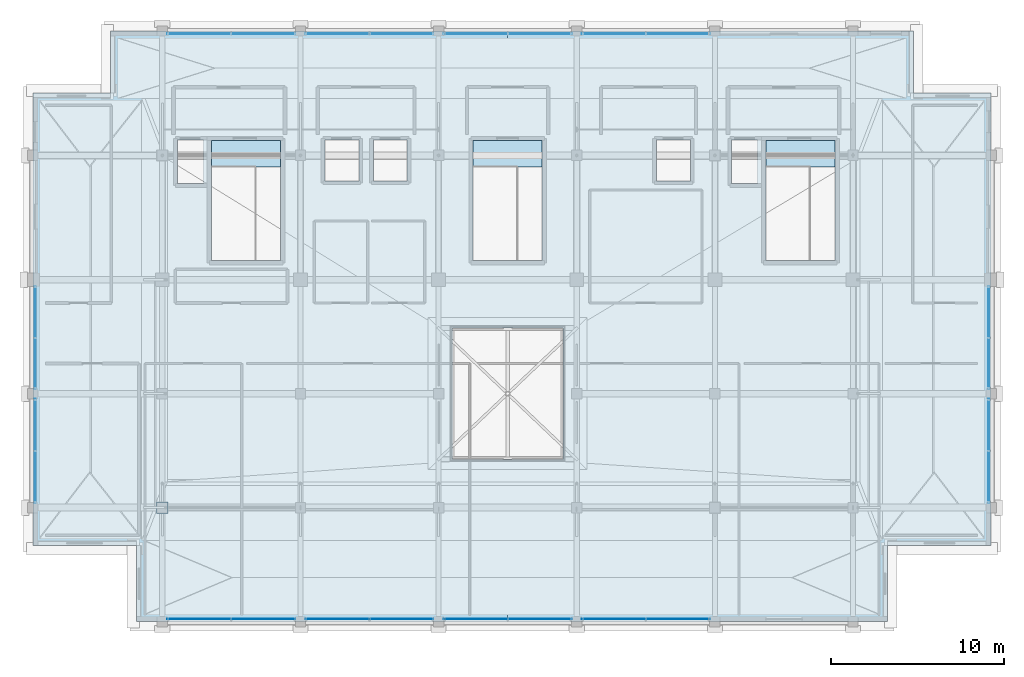
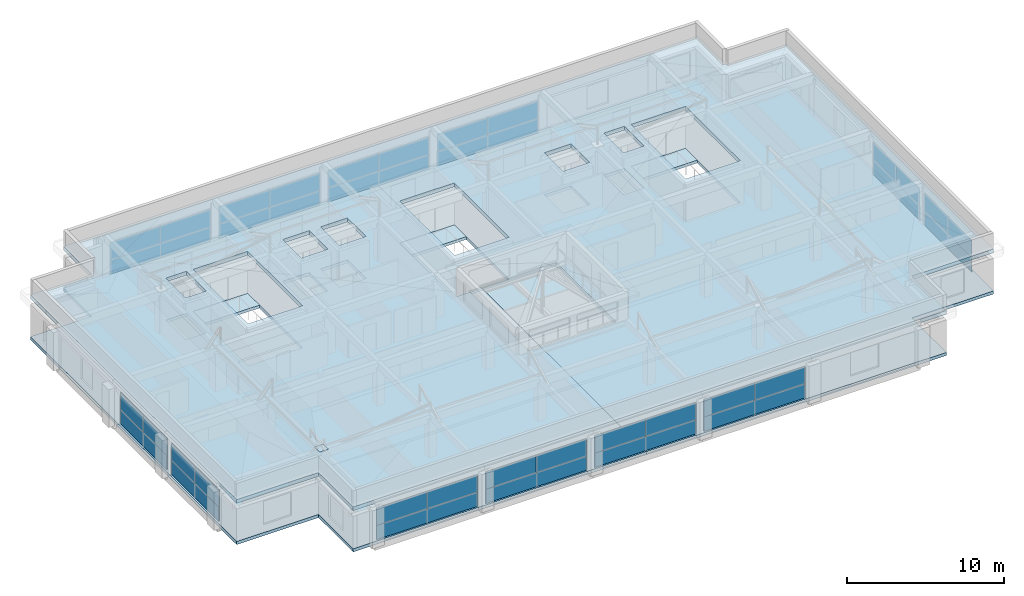
# One storey, part 29 of 39: 37 plates, 6 slabs, 12 elements without a shape of their own.
"""IFC4 building model written with IfcOpenShell, lengths in metres."""

from ifc_helpers import new_model, si_unit, direction, frame, origin, origin_2d, place, context, subcontext, project, spatial, polyline, rectangle, outline, extrude, material, layer, layer_set, type_object, element, aggregate, save


model = new_model("IFC4")

# Units and contexts
model_context = context("Model", 3, precision=1e-05, world=origin(), true_north=direction((0.0, 1.0)))
body_context = subcontext(model_context, "Body", "Model", "MODEL_VIEW")
ifc_project = project(units=[si_unit("LENGTHUNIT", "METRE"), si_unit("AREAUNIT", "SQUARE_METRE"), si_unit("VOLUMEUNIT", "CUBIC_METRE"), si_unit("PLANEANGLEUNIT", "RADIAN"), si_unit("MASSUNIT", "GRAM", prefix="KILO")], contexts=[model_context])

# Site, building, storey
site_placement = place(None, origin())
site = spatial("IfcSite", under=ifc_project, at=site_placement, CompositionType="ELEMENT")
building_placement = place(site_placement, origin())
building = spatial("IfcBuilding", under=site, at=building_placement, Name="Akrevak Sports Hall", CompositionType="ELEMENT")
storey_placement = place(building_placement, frame((0.0, 0.0, 66.550048828125)))
storey = spatial("IfcBuildingStorey", under=building, at=storey_placement, Name="L17", CompositionType="ELEMENT", Elevation=66.550048828125)

# Curtain wall, plates
ifc_material_1 = material(Name="Anodized Bronze Aluminium & Low-E Glass", Category="aluminium")
curtain_wall_type = type_object("IfcCurtainWallType", Name="ARC-CW-TWR-68x30", PredefinedType="NOTDEFINED", material=ifc_material_1)
curtain_wall_1_placement = place(storey_placement, origin())
curtain_wall_1 = element("IfcCurtainWall", 1, at=curtain_wall_1_placement, inside=storey, type_object=curtain_wall_type, Name="Curtain Wall CW-L17-S02", PredefinedType="NOTDEFINED")
ifc_material_2 = material(Name="Double Low-E Tempered Glass", Category="glass")
ifc_layer_1 = layer(ifc_material_2, 0.031982421875, Name="Double Low-E Tempered Glass")
ifc_layer_set_1 = layer_set([ifc_layer_1], Name="Double Low-E Tempered Glass")
plate_type_1 = type_object("IfcPlateType", Name="ARC-CWP-GLZ-32", PredefinedType="CURTAIN_PANEL", material=ifc_layer_set_1)
plate_1_placement = place(storey_placement, frame((62.14990234375, 35.550048828125, 1.099853515625), z_axis=(0.0, 0.0, 1.0), x_axis=(1.0, 0.0, 0.0)))
plate_1 = element("IfcPlate", 2, at=plate_1_placement, type_object=plate_type_1, Name="Vision Glass Panel CW-L17-S02-G1", PredefinedType="CURTAIN_PANEL", context=body_context, shape_type="SweptSolid", body=[
    extrude(rectangle(XDim=3.699951171875, YDim=0.035888671875, at=origin_2d()), origin(), (0.0, 0.0, 1.0), 1.35009765625),
])
plate_2_placement = place(storey_placement, frame((65.85009765625, 35.550048828125, 1.099853515625), z_axis=(0.0, 0.0, 1.0), x_axis=(1.0, 0.0, 0.0)))
plate_2 = element("IfcPlate", 3, at=plate_2_placement, type_object=plate_type_1, Name="Vision Glass Panel CW-L17-S02-G2", PredefinedType="CURTAIN_PANEL", context=body_context, shape_type="SweptSolid", body=[
    extrude(rectangle(XDim=3.699951171875, YDim=0.035888671875, at=origin_2d()), origin(), (0.0, 0.0, 1.0), 1.35009765625),
])

curtain_wall_2_placement = place(storey_placement, origin())
curtain_wall_2 = element("IfcCurtainWall", 4, at=curtain_wall_2_placement, inside=storey, type_object=curtain_wall_type, Name="Curtain Wall CW-L17-S03", PredefinedType="NOTDEFINED")
plate_3_placement = place(storey_placement, frame((70.14990234375, 35.550048828125, 1.099853515625), z_axis=(0.0, 0.0, 1.0), x_axis=(1.0, 0.0, 0.0)))
plate_3 = element("IfcPlate", 5, at=plate_3_placement, type_object=plate_type_1, Name="Vision Glass Panel CW-L17-S03-G1", PredefinedType="CURTAIN_PANEL", context=body_context, shape_type="SweptSolid", body=[
    extrude(rectangle(XDim=3.699951171875, YDim=0.035888671875, at=origin_2d()), origin(), (0.0, 0.0, 1.0), 1.35009765625),
])
plate_4_placement = place(storey_placement, frame((73.85009765625, 35.550048828125, 1.099853515625), z_axis=(0.0, 0.0, 1.0), x_axis=(1.0, 0.0, 0.0)))
plate_4 = element("IfcPlate", 6, at=plate_4_placement, type_object=plate_type_1, Name="Vision Glass Panel CW-L17-S03-G2", PredefinedType="CURTAIN_PANEL", context=body_context, shape_type="SweptSolid", body=[
    extrude(rectangle(XDim=3.699951171875, YDim=0.035888671875, at=origin_2d()), origin(), (0.0, 0.0, 1.0), 1.35009765625),
])

curtain_wall_3_placement = place(storey_placement, origin())
curtain_wall_3 = element("IfcCurtainWall", 7, at=curtain_wall_3_placement, inside=storey, type_object=curtain_wall_type, Name="Curtain Wall CW-L17-S04", PredefinedType="NOTDEFINED")
plate_5_placement = place(storey_placement, frame((78.14990234375, 35.550048828125, 1.099853515625), z_axis=(0.0, 0.0, 1.0), x_axis=(1.0, 0.0, 0.0)))
plate_5 = element("IfcPlate", 8, at=plate_5_placement, type_object=plate_type_1, Name="Vision Glass Panel CW-L17-S04-G1", PredefinedType="CURTAIN_PANEL", context=body_context, shape_type="SweptSolid", body=[
    extrude(rectangle(XDim=3.699951171875, YDim=0.035888671875, at=origin_2d()), origin(), (0.0, 0.0, 1.0), 1.35009765625),
])
plate_6_placement = place(storey_placement, frame((81.85009765625, 35.550048828125, 1.099853515625), z_axis=(0.0, 0.0, 1.0), x_axis=(1.0, 0.0, 0.0)))
plate_6 = element("IfcPlate", 9, at=plate_6_placement, type_object=plate_type_1, Name="Vision Glass Panel CW-L17-S04-G2", PredefinedType="CURTAIN_PANEL", context=body_context, shape_type="SweptSolid", body=[
    extrude(rectangle(XDim=3.699951171875, YDim=0.035888671875, at=origin_2d()), origin(), (0.0, 0.0, 1.0), 1.35009765625),
])

curtain_wall_4_placement = place(storey_placement, origin())
curtain_wall_4 = element("IfcCurtainWall", 10, at=curtain_wall_4_placement, inside=storey, type_object=curtain_wall_type, Name="Curtain Wall CW-L17-S05", PredefinedType="NOTDEFINED")
plate_7_placement = place(storey_placement, frame((86.14990234375, 35.550048828125, 1.099853515625), z_axis=(0.0, 0.0, 1.0), x_axis=(1.0, 0.0, 0.0)))
plate_7 = element("IfcPlate", 11, at=plate_7_placement, type_object=plate_type_1, Name="Vision Glass Panel CW-L17-S05-G1", PredefinedType="CURTAIN_PANEL", context=body_context, shape_type="SweptSolid", body=[
    extrude(rectangle(XDim=3.699951171875, YDim=0.035888671875, at=origin_2d()), origin(), (0.0, 0.0, 1.0), 1.35009765625),
])
plate_8_placement = place(storey_placement, frame((89.85009765625, 35.550048828125, 1.099853515625), z_axis=(0.0, 0.0, 1.0), x_axis=(1.0, 0.0, 0.0)))
plate_8 = element("IfcPlate", 12, at=plate_8_placement, type_object=plate_type_1, Name="Vision Glass Panel CW-L17-S05-G2", PredefinedType="CURTAIN_PANEL", context=body_context, shape_type="SweptSolid", body=[
    extrude(rectangle(XDim=3.699951171875, YDim=0.035888671875, at=origin_2d()), origin(), (0.0, 0.0, 1.0), 1.35009765625),
])

curtain_wall_5_placement = place(storey_placement, origin())
curtain_wall_5 = element("IfcCurtainWall", 13, at=curtain_wall_5_placement, inside=storey, type_object=curtain_wall_type, Name="Curtain Wall CW-L17-E11", PredefinedType="NOTDEFINED")
plate_9_placement = place(storey_placement, frame((107.85009765625, 43.800048828125, 1.099853515625), z_axis=(0.0, 0.0, 1.0), x_axis=(0.0, 1.0, 0.0)))
plate_9 = element("IfcPlate", 14, at=plate_9_placement, type_object=plate_type_1, Name="Vision Glass Panel CW-L17-E11-G1", PredefinedType="CURTAIN_PANEL", context=body_context, shape_type="SweptSolid", body=[
    extrude(rectangle(XDim=3.0, YDim=0.035888671875, at=origin_2d()), origin(), (0.0, 0.0, 1.0), 1.35009765625),
])
plate_10_placement = place(storey_placement, frame((107.85009765625, 46.800048828125, 1.099853515625), z_axis=(0.0, 0.0, 1.0), x_axis=(0.0, 1.0, 0.0)))
plate_10 = element("IfcPlate", 15, at=plate_10_placement, type_object=plate_type_1, Name="Vision Glass Panel CW-L17-E11-G2", PredefinedType="CURTAIN_PANEL", context=body_context, shape_type="SweptSolid", body=[
    extrude(rectangle(XDim=3.0, YDim=0.035888671875, at=origin_2d()), origin(), (0.0, 0.0, 1.0), 1.35009765625),
])

curtain_wall_6_placement = place(storey_placement, origin())
curtain_wall_6 = element("IfcCurtainWall", 16, at=curtain_wall_6_placement, inside=storey, type_object=curtain_wall_type, Name="Curtain Wall CW-L17-E12", PredefinedType="NOTDEFINED")
plate_11_placement = place(storey_placement, frame((107.85009765625, 50.375, 1.099853515625), z_axis=(0.0, 0.0, 1.0), x_axis=(0.0, 1.0, 0.0)))
plate_11 = element("IfcPlate", 17, at=plate_11_placement, type_object=plate_type_1, Name="Vision Glass Panel CW-L17-E12-G1", PredefinedType="CURTAIN_PANEL", context=body_context, shape_type="SweptSolid", body=[
    extrude(rectangle(XDim=2.949951171875, YDim=0.035888671875, at=origin_2d()), origin(), (0.0, 0.0, 1.0), 1.35009765625),
])
plate_12_placement = place(storey_placement, frame((107.85009765625, 53.324951171875, 1.099853515625), z_axis=(0.0, 0.0, 1.0), x_axis=(0.0, 1.0, 0.0)))
plate_12 = element("IfcPlate", 18, at=plate_12_placement, type_object=plate_type_1, Name="Vision Glass Panel CW-L17-E12-G2", PredefinedType="CURTAIN_PANEL", context=body_context, shape_type="SweptSolid", body=[
    extrude(rectangle(XDim=2.949951171875, YDim=0.035888671875, at=origin_2d()), origin(), (0.0, 0.0, 1.0), 1.35009765625),
])

curtain_wall_7_placement = place(storey_placement, origin())
curtain_wall_7 = element("IfcCurtainWall", 19, at=curtain_wall_7_placement, inside=storey, type_object=curtain_wall_type, Name="Curtain Wall CW-L17-N19", PredefinedType="NOTDEFINED")
plate_13_placement = place(storey_placement, frame((89.85009765625, 69.449951171875, 1.099853515625), z_axis=(0.0, 0.0, 1.0), x_axis=(-1.0, 0.0, 0.0)))
plate_13 = element("IfcPlate", 20, at=plate_13_placement, type_object=plate_type_1, Name="Vision Glass Panel CW-L17-N19-G1", PredefinedType="CURTAIN_PANEL", context=body_context, shape_type="SweptSolid", body=[
    extrude(rectangle(XDim=3.699951171875, YDim=0.035888671875, at=origin_2d()), origin(), (0.0, 0.0, 1.0), 1.35009765625),
])
plate_14_placement = place(storey_placement, frame((86.14990234375, 69.449951171875, 1.099853515625), z_axis=(0.0, 0.0, 1.0), x_axis=(-1.0, 0.0, 0.0)))
plate_14 = element("IfcPlate", 21, at=plate_14_placement, type_object=plate_type_1, Name="Vision Glass Panel CW-L17-N19-G2", PredefinedType="CURTAIN_PANEL", context=body_context, shape_type="SweptSolid", body=[
    extrude(rectangle(XDim=3.699951171875, YDim=0.035888671875, at=origin_2d()), origin(), (0.0, 0.0, 1.0), 1.35009765625),
])

curtain_wall_8_placement = place(storey_placement, origin())
curtain_wall_8 = element("IfcCurtainWall", 22, at=curtain_wall_8_placement, inside=storey, type_object=curtain_wall_type, Name="Curtain Wall CW-L17-N20", PredefinedType="NOTDEFINED")
plate_15_placement = place(storey_placement, frame((81.85009765625, 69.449951171875, 1.099853515625), z_axis=(0.0, 0.0, 1.0), x_axis=(-1.0, 0.0, 0.0)))
plate_15 = element("IfcPlate", 23, at=plate_15_placement, type_object=plate_type_1, Name="Vision Glass Panel CW-L17-N20-G1", PredefinedType="CURTAIN_PANEL", context=body_context, shape_type="SweptSolid", body=[
    extrude(rectangle(XDim=3.699951171875, YDim=0.035888671875, at=origin_2d()), origin(), (0.0, 0.0, 1.0), 1.35009765625),
])
plate_16_placement = place(storey_placement, frame((78.14990234375, 69.449951171875, 1.099853515625), z_axis=(0.0, 0.0, 1.0), x_axis=(-1.0, 0.0, 0.0)))
plate_16 = element("IfcPlate", 24, at=plate_16_placement, type_object=plate_type_1, Name="Vision Glass Panel CW-L17-N20-G2", PredefinedType="CURTAIN_PANEL", context=body_context, shape_type="SweptSolid", body=[
    extrude(rectangle(XDim=3.699951171875, YDim=0.035888671875, at=origin_2d()), origin(), (0.0, 0.0, 1.0), 1.35009765625),
])

curtain_wall_9_placement = place(storey_placement, origin())
curtain_wall_9 = element("IfcCurtainWall", 25, at=curtain_wall_9_placement, inside=storey, type_object=curtain_wall_type, Name="Curtain Wall CW-L17-N21", PredefinedType="NOTDEFINED")
plate_17_placement = place(storey_placement, frame((73.85009765625, 69.449951171875, 1.099853515625), z_axis=(0.0, 0.0, 1.0), x_axis=(-1.0, 0.0, 0.0)))
plate_17 = element("IfcPlate", 26, at=plate_17_placement, type_object=plate_type_1, Name="Vision Glass Panel CW-L17-N21-G1", PredefinedType="CURTAIN_PANEL", context=body_context, shape_type="SweptSolid", body=[
    extrude(rectangle(XDim=3.699951171875, YDim=0.035888671875, at=origin_2d()), origin(), (0.0, 0.0, 1.0), 1.35009765625),
])
plate_18_placement = place(storey_placement, frame((70.14990234375, 69.449951171875, 1.099853515625), z_axis=(0.0, 0.0, 1.0), x_axis=(-1.0, 0.0, 0.0)))
plate_18 = element("IfcPlate", 27, at=plate_18_placement, type_object=plate_type_1, Name="Vision Glass Panel CW-L17-N21-G2", PredefinedType="CURTAIN_PANEL", context=body_context, shape_type="SweptSolid", body=[
    extrude(rectangle(XDim=3.699951171875, YDim=0.035888671875, at=origin_2d()), origin(), (0.0, 0.0, 1.0), 1.35009765625),
])

curtain_wall_10_placement = place(storey_placement, origin())
curtain_wall_10 = element("IfcCurtainWall", 28, at=curtain_wall_10_placement, inside=storey, type_object=curtain_wall_type, Name="Curtain Wall CW-L17-N22", PredefinedType="NOTDEFINED")
plate_19_placement = place(storey_placement, frame((65.85009765625, 69.449951171875, 1.099853515625), z_axis=(0.0, 0.0, 1.0), x_axis=(-1.0, 0.0, 0.0)))
plate_19 = element("IfcPlate", 29, at=plate_19_placement, type_object=plate_type_1, Name="Vision Glass Panel CW-L17-N22-G1", PredefinedType="CURTAIN_PANEL", context=body_context, shape_type="SweptSolid", body=[
    extrude(rectangle(XDim=3.699951171875, YDim=0.035888671875, at=origin_2d()), origin(), (0.0, 0.0, 1.0), 1.35009765625),
])
plate_20_placement = place(storey_placement, frame((62.14990234375, 69.449951171875, 1.099853515625), z_axis=(0.0, 0.0, 1.0), x_axis=(-1.0, 0.0, 0.0)))
plate_20 = element("IfcPlate", 30, at=plate_20_placement, type_object=plate_type_1, Name="Vision Glass Panel CW-L17-N22-G2", PredefinedType="CURTAIN_PANEL", context=body_context, shape_type="SweptSolid", body=[
    extrude(rectangle(XDim=3.699951171875, YDim=0.035888671875, at=origin_2d()), origin(), (0.0, 0.0, 1.0), 1.35009765625),
])

curtain_wall_11_placement = place(storey_placement, origin())
curtain_wall_11 = element("IfcCurtainWall", 31, at=curtain_wall_11_placement, inside=storey, type_object=curtain_wall_type, Name="Curtain Wall CW-L17-W28", PredefinedType="NOTDEFINED")
plate_21_placement = place(storey_placement, frame((52.64990234375, 53.324951171875, 1.099853515625), z_axis=(0.0, 0.0, 1.0), x_axis=(0.0, -1.0, 0.0)))
plate_21 = element("IfcPlate", 32, at=plate_21_placement, type_object=plate_type_1, Name="Vision Glass Panel CW-L17-W28-G1", PredefinedType="CURTAIN_PANEL", context=body_context, shape_type="SweptSolid", body=[
    extrude(rectangle(XDim=2.949951171875, YDim=0.035888671875, at=origin_2d()), origin(), (0.0, 0.0, 1.0), 1.35009765625),
])
plate_22_placement = place(storey_placement, frame((52.64990234375, 50.375, 1.099853515625), z_axis=(0.0, 0.0, 1.0), x_axis=(0.0, -1.0, 0.0)))
plate_22 = element("IfcPlate", 33, at=plate_22_placement, type_object=plate_type_1, Name="Vision Glass Panel CW-L17-W28-G2", PredefinedType="CURTAIN_PANEL", context=body_context, shape_type="SweptSolid", body=[
    extrude(rectangle(XDim=2.949951171875, YDim=0.035888671875, at=origin_2d()), origin(), (0.0, 0.0, 1.0), 1.35009765625),
])

curtain_wall_12_placement = place(storey_placement, origin())
curtain_wall_12 = element("IfcCurtainWall", 34, at=curtain_wall_12_placement, inside=storey, type_object=curtain_wall_type, Name="Curtain Wall CW-L17-W29", PredefinedType="NOTDEFINED")
plate_23_placement = place(storey_placement, frame((52.64990234375, 46.800048828125, 1.099853515625), z_axis=(0.0, 0.0, 1.0), x_axis=(0.0, -1.0, 0.0)))
plate_23 = element("IfcPlate", 35, at=plate_23_placement, type_object=plate_type_1, Name="Vision Glass Panel CW-L17-W29-G1", PredefinedType="CURTAIN_PANEL", context=body_context, shape_type="SweptSolid", body=[
    extrude(rectangle(XDim=3.0, YDim=0.035888671875, at=origin_2d()), origin(), (0.0, 0.0, 1.0), 1.35009765625),
])
plate_24_placement = place(storey_placement, frame((52.64990234375, 43.800048828125, 1.099853515625), z_axis=(0.0, 0.0, 1.0), x_axis=(0.0, -1.0, 0.0)))
plate_24 = element("IfcPlate", 36, at=plate_24_placement, type_object=plate_type_1, Name="Vision Glass Panel CW-L17-W29-G2", PredefinedType="CURTAIN_PANEL", context=body_context, shape_type="SweptSolid", body=[
    extrude(rectangle(XDim=3.0, YDim=0.035888671875, at=origin_2d()), origin(), (0.0, 0.0, 1.0), 1.35009765625),
])

# Plate
ifc_material_3 = material(Name="Insulated Bronze Spandrel Panel", Category="aluminium")
ifc_layer_2 = layer(ifc_material_3, 0.0400390625, Name="Insulated Bronze Spandrel Panel")
ifc_layer_set_2 = layer_set([ifc_layer_2], Name="Insulated Bronze Spandrel Panel")
plate_type_2 = type_object("IfcPlateType", Name="ARC-CWP-SPD-40", PredefinedType="CURTAIN_PANEL", material=ifc_layer_set_2)
plate_25_placement = place(storey_placement, frame((64.0, 35.550048828125, 0.0), z_axis=(0.0, 0.0, 1.0), x_axis=(1.0, 0.0, 0.0)))
plate_25 = element("IfcPlate", 37, at=plate_25_placement, type_object=plate_type_2, Name="Insulated Spandrel Panel CW-L17-S02-S1", PredefinedType="CURTAIN_PANEL", context=body_context, shape_type="SweptSolid", body=[
    extrude(rectangle(XDim=7.39990234375, YDim=0.0439453125, at=origin_2d()), origin(), (0.0, 0.0, 1.0), 1.10009765625),
])

aggregate(curtain_wall_1, [plate_1, plate_2, plate_25])

plate_26_placement = place(storey_placement, frame((72.0, 35.550048828125, 0.0), z_axis=(0.0, 0.0, 1.0), x_axis=(1.0, 0.0, 0.0)))
plate_26 = element("IfcPlate", 38, at=plate_26_placement, type_object=plate_type_2, Name="Insulated Spandrel Panel CW-L17-S03-S1", PredefinedType="CURTAIN_PANEL", context=body_context, shape_type="SweptSolid", body=[
    extrude(rectangle(XDim=7.39990234375, YDim=0.0439453125, at=origin_2d()), origin(), (0.0, 0.0, 1.0), 1.10009765625),
])

aggregate(curtain_wall_2, [plate_3, plate_4, plate_26])

plate_27_placement = place(storey_placement, frame((80.0, 35.550048828125, 0.0), z_axis=(0.0, 0.0, 1.0), x_axis=(1.0, 0.0, 0.0)))
plate_27 = element("IfcPlate", 39, at=plate_27_placement, type_object=plate_type_2, Name="Insulated Spandrel Panel CW-L17-S04-S1", PredefinedType="CURTAIN_PANEL", context=body_context, shape_type="SweptSolid", body=[
    extrude(rectangle(XDim=7.39990234375, YDim=0.0439453125, at=origin_2d()), origin(), (0.0, 0.0, 1.0), 1.10009765625),
])

aggregate(curtain_wall_3, [plate_5, plate_6, plate_27])

plate_28_placement = place(storey_placement, frame((88.0, 35.550048828125, 0.0), z_axis=(0.0, 0.0, 1.0), x_axis=(1.0, 0.0, 0.0)))
plate_28 = element("IfcPlate", 40, at=plate_28_placement, type_object=plate_type_2, Name="Insulated Spandrel Panel CW-L17-S05-S1", PredefinedType="CURTAIN_PANEL", context=body_context, shape_type="SweptSolid", body=[
    extrude(rectangle(XDim=7.39990234375, YDim=0.0439453125, at=origin_2d()), origin(), (0.0, 0.0, 1.0), 1.10009765625),
])

aggregate(curtain_wall_4, [plate_7, plate_8, plate_28])

plate_29_placement = place(storey_placement, frame((107.85009765625, 45.300048828125, 0.0), z_axis=(0.0, 0.0, 1.0), x_axis=(0.0, 1.0, 0.0)))
plate_29 = element("IfcPlate", 41, at=plate_29_placement, type_object=plate_type_2, Name="Insulated Spandrel Panel CW-L17-E11-S1", PredefinedType="CURTAIN_PANEL", context=body_context, shape_type="SweptSolid", body=[
    extrude(rectangle(XDim=6.0, YDim=0.0439453125, at=origin_2d()), origin(), (0.0, 0.0, 1.0), 1.10009765625),
])

aggregate(curtain_wall_5, [plate_9, plate_10, plate_29])

plate_30_placement = place(storey_placement, frame((107.85009765625, 51.85009765625, 0.0), z_axis=(0.0, 0.0, 1.0), x_axis=(0.0, 1.0, 0.0)))
plate_30 = element("IfcPlate", 42, at=plate_30_placement, type_object=plate_type_2, Name="Insulated Spandrel Panel CW-L17-E12-S1", PredefinedType="CURTAIN_PANEL", context=body_context, shape_type="SweptSolid", body=[
    extrude(rectangle(XDim=5.89990234375, YDim=0.0439453125, at=origin_2d()), origin(), (0.0, 0.0, 1.0), 1.10009765625),
])

aggregate(curtain_wall_6, [plate_11, plate_12, plate_30])

plate_31_placement = place(storey_placement, frame((88.0, 69.449951171875, 0.0), z_axis=(0.0, 0.0, 1.0), x_axis=(-1.0, 0.0, 0.0)))
plate_31 = element("IfcPlate", 43, at=plate_31_placement, type_object=plate_type_2, Name="Insulated Spandrel Panel CW-L17-N19-S1", PredefinedType="CURTAIN_PANEL", context=body_context, shape_type="SweptSolid", body=[
    extrude(rectangle(XDim=7.39990234375, YDim=0.0439453125, at=origin_2d()), origin(), (0.0, 0.0, 1.0), 1.10009765625),
])

aggregate(curtain_wall_7, [plate_13, plate_14, plate_31])

plate_32_placement = place(storey_placement, frame((80.0, 69.449951171875, 0.0), z_axis=(0.0, 0.0, 1.0), x_axis=(-1.0, 0.0, 0.0)))
plate_32 = element("IfcPlate", 44, at=plate_32_placement, type_object=plate_type_2, Name="Insulated Spandrel Panel CW-L17-N20-S1", PredefinedType="CURTAIN_PANEL", context=body_context, shape_type="SweptSolid", body=[
    extrude(rectangle(XDim=7.39990234375, YDim=0.0439453125, at=origin_2d()), origin(), (0.0, 0.0, 1.0), 1.10009765625),
])

aggregate(curtain_wall_8, [plate_15, plate_16, plate_32])

plate_33_placement = place(storey_placement, frame((72.0, 69.449951171875, 0.0), z_axis=(0.0, 0.0, 1.0), x_axis=(-1.0, 0.0, 0.0)))
plate_33 = element("IfcPlate", 45, at=plate_33_placement, type_object=plate_type_2, Name="Insulated Spandrel Panel CW-L17-N21-S1", PredefinedType="CURTAIN_PANEL", context=body_context, shape_type="SweptSolid", body=[
    extrude(rectangle(XDim=7.39990234375, YDim=0.0439453125, at=origin_2d()), origin(), (0.0, 0.0, 1.0), 1.10009765625),
])

aggregate(curtain_wall_9, [plate_17, plate_18, plate_33])

plate_34_placement = place(storey_placement, frame((64.0, 69.449951171875, 0.0), z_axis=(0.0, 0.0, 1.0), x_axis=(-1.0, 0.0, 0.0)))
plate_34 = element("IfcPlate", 46, at=plate_34_placement, type_object=plate_type_2, Name="Insulated Spandrel Panel CW-L17-N22-S1", PredefinedType="CURTAIN_PANEL", context=body_context, shape_type="SweptSolid", body=[
    extrude(rectangle(XDim=7.39990234375, YDim=0.0439453125, at=origin_2d()), origin(), (0.0, 0.0, 1.0), 1.10009765625),
])

aggregate(curtain_wall_10, [plate_19, plate_20, plate_34])

plate_35_placement = place(storey_placement, frame((52.64990234375, 51.85009765625, 0.0), z_axis=(0.0, 0.0, 1.0), x_axis=(0.0, -1.0, 0.0)))
plate_35 = element("IfcPlate", 47, at=plate_35_placement, type_object=plate_type_2, Name="Insulated Spandrel Panel CW-L17-W28-S1", PredefinedType="CURTAIN_PANEL", context=body_context, shape_type="SweptSolid", body=[
    extrude(rectangle(XDim=5.89990234375, YDim=0.0439453125, at=origin_2d()), origin(), (0.0, 0.0, 1.0), 1.10009765625),
])

aggregate(curtain_wall_11, [plate_21, plate_22, plate_35])

plate_36_placement = place(storey_placement, frame((52.64990234375, 45.300048828125, 0.0), z_axis=(0.0, 0.0, 1.0), x_axis=(0.0, -1.0, 0.0)))
plate_36 = element("IfcPlate", 48, at=plate_36_placement, type_object=plate_type_2, Name="Insulated Spandrel Panel CW-L17-W29-S1", PredefinedType="CURTAIN_PANEL", context=body_context, shape_type="SweptSolid", body=[
    extrude(rectangle(XDim=6.0, YDim=0.0439453125, at=origin_2d()), origin(), (0.0, 0.0, 1.0), 1.10009765625),
])

aggregate(curtain_wall_12, [plate_23, plate_24, plate_36])

ifc_material_4 = material(Name="Steel S355", Category="steel")
ifc_layer_3 = layer(ifc_material_4, 0.035888671875, Name="Steel S355")
ifc_layer_set_3 = layer_set([ifc_layer_3], Name="Steel S355")
plate_type_3 = type_object("IfcPlateType", Name="STR-PLT-ANCHOR-36", PredefinedType="SHEET", material=ifc_layer_set_3)
plate_37_placement = place(storey_placement, frame((60.0, 42.0, 3.251953125), z_axis=(0.0, 0.0, 1.0), x_axis=(1.0, 0.0, 0.0)))
element("IfcPlate", 49, at=plate_37_placement, inside=storey, type_object=plate_type_3, Name="Mansard Rafter Bearing Shoe Plate MBRC-WS-1", PredefinedType="SHEET", context=body_context, shape_type="SweptSolid", body=[
    extrude(rectangle(XDim=0.64990234375, YDim=0.64990234375, at=origin_2d()), origin(), (0.0, 0.0, 1.0), 0.035888671875),
])

# Slabs
ifc_material_5 = material(Name="Concrete C40/50", Category="concrete")
ifc_layer_4 = layer(ifc_material_5, 0.239990234375, Name="Concrete C40/50")
ifc_layer_set_4 = layer_set([ifc_layer_4], Name="Concrete C40/50")
slab_type_1 = type_object("IfcSlabType", Name="STR-SLB-FLR-240", PredefinedType="FLOOR", material=ifc_layer_set_4)
slab_1_placement = place(storey_placement, frame((0.0, 0.0, -0.239990234375)))
element("IfcSlab", 50, at=slab_1_placement, inside=storey, type_object=slab_type_1, Name="Structural Floor Slab L17-1.1", PredefinedType="FLOOR", context=body_context, shape_type="SweptSolid", body=[
    extrude(outline(polyline([(58.5, 39.800048828125), (58.5, 35.39990234375), (80.0, 35.39990234375), (80.0, 56.300048828125), (78.0, 56.300048828125), (78.0, 63.25), (80.0, 63.25), (80.0, 69.60009765625), (57.0, 69.60009765625), (57.0, 66.0), (52.5, 66.0), (52.5, 39.800048828125), (58.5, 39.800048828125)]), holes=[polyline([(62.85009765625, 63.25), (66.85009765625, 63.25), (66.85009765625, 56.300048828125), (62.85009765625, 56.300048828125), (62.85009765625, 63.25)]), polyline([(60.8701171875, 63.280029296875), (62.3798828125, 63.280029296875), (62.3798828125, 60.77001953125), (60.8701171875, 60.77001953125), (60.8701171875, 63.280029296875)]), polyline([(69.419921875, 63.280029296875), (71.3798828125, 63.280029296875), (71.3798828125, 60.919921875), (69.419921875, 60.919921875), (69.419921875, 63.280029296875)]), polyline([(72.219970703125, 63.280029296875), (74.179931640625, 63.280029296875), (74.179931640625, 60.919921875), (72.219970703125, 60.919921875), (72.219970703125, 63.280029296875)])]), origin(), (0.0, 0.0, 1.0), 0.239990234375),
])
slab_2_placement = place(storey_placement, frame((0.0, 0.0, -0.239990234375)))
element("IfcSlab", 51, at=slab_2_placement, inside=storey, type_object=slab_type_1, Name="Structural Floor Slab L17-2.1", PredefinedType="FLOOR", context=body_context, shape_type="SweptSolid", body=[
    extrude(outline(polyline([(80.0, 69.60009765625), (80.0, 63.25), (82.0, 63.25), (82.0, 56.300048828125), (80.0, 56.300048828125), (80.0, 35.39990234375), (102.0, 35.39990234375), (102.0, 39.800048828125), (108.0, 39.800048828125), (108.0, 66.0), (103.5, 66.0), (103.5, 69.60009765625), (80.0, 69.60009765625)]), holes=[polyline([(94.949951171875, 63.25), (98.949951171875, 63.25), (98.949951171875, 56.300048828125), (94.949951171875, 56.300048828125), (94.949951171875, 63.25)]), polyline([(92.969970703125, 63.280029296875), (94.47998046875, 63.280029296875), (94.47998046875, 60.77001953125), (92.969970703125, 60.77001953125), (92.969970703125, 63.280029296875)]), polyline([(88.6201171875, 63.280029296875), (90.580078125, 63.280029296875), (90.580078125, 60.919921875), (88.6201171875, 60.919921875), (88.6201171875, 63.280029296875)])]), origin(), (0.0, 0.0, 1.0), 0.239990234375),
])
ifc_layer_5 = layer(ifc_material_5, 0.300048828125, Name="Concrete C40/50")
ifc_layer_set_5 = layer_set([ifc_layer_5], Name="Concrete C40/50")
slab_type_2 = type_object("IfcSlabType", Name="STR-SLB-FLR-300", PredefinedType="FLOOR", material=ifc_layer_set_5)
slab_3_placement = place(storey_placement, frame((0.0, 0.0, 2.949951171875)))
element("IfcSlab", 52, at=slab_3_placement, inside=storey, type_object=slab_type_2, Name="Tower Attic Ceiling Slab L17-1", PredefinedType="FLOOR", context=body_context, shape_type="SweptSolid", body=[
    extrude(outline(polyline([(58.5, 39.800048828125), (58.5, 35.39990234375), (102.0, 35.39990234375), (102.0, 39.800048828125), (108.0, 39.800048828125), (108.0, 66.0), (103.5, 66.0), (103.5, 69.60009765625), (57.0, 69.60009765625), (57.0, 66.0), (52.5, 66.0), (52.5, 39.800048828125), (58.5, 39.800048828125)]), holes=[polyline([(83.199951171875, 52.39990234375), (83.199951171875, 44.800048828125), (76.800048828125, 44.800048828125), (76.800048828125, 52.39990234375), (83.199951171875, 52.39990234375)]), polyline([(66.85009765625, 63.25), (66.85009765625, 56.300048828125), (62.85009765625, 56.300048828125), (62.85009765625, 63.25), (66.85009765625, 63.25)]), polyline([(82.0, 63.25), (82.0, 56.300048828125), (78.0, 56.300048828125), (78.0, 63.25), (82.0, 63.25)]), polyline([(98.949951171875, 63.25), (98.949951171875, 56.300048828125), (94.949951171875, 56.300048828125), (94.949951171875, 63.25), (98.949951171875, 63.25)]), polyline([(62.3798828125, 63.280029296875), (62.3798828125, 60.77001953125), (60.8701171875, 60.77001953125), (60.8701171875, 63.280029296875), (62.3798828125, 63.280029296875)]), polyline([(94.47998046875, 63.280029296875), (94.47998046875, 60.77001953125), (92.969970703125, 60.77001953125), (92.969970703125, 63.280029296875), (94.47998046875, 63.280029296875)]), polyline([(71.3798828125, 63.280029296875), (71.3798828125, 60.919921875), (69.419921875, 60.919921875), (69.419921875, 63.280029296875), (71.3798828125, 63.280029296875)]), polyline([(74.179931640625, 63.280029296875), (74.179931640625, 60.919921875), (72.219970703125, 60.919921875), (72.219970703125, 63.280029296875), (74.179931640625, 63.280029296875)]), polyline([(90.580078125, 63.280029296875), (90.580078125, 60.919921875), (88.6201171875, 60.919921875), (88.6201171875, 63.280029296875), (90.580078125, 63.280029296875)])]), origin(), (0.0, 0.0, 1.0), 0.300048828125),
])
ifc_layer_6 = layer(ifc_material_5, 0.219970703125, Name="Concrete C40/50")
ifc_layer_set_6 = layer_set([ifc_layer_6], Name="Concrete C40/50")
slab_type_3 = type_object("IfcSlabType", Name="STR-SLB-LAND-220", PredefinedType="LANDING", material=ifc_layer_set_6)
slab_4_placement = place(storey_placement, frame((0.0, 0.0, -0.219970703125)))
element("IfcSlab", 53, at=slab_4_placement, inside=storey, type_object=slab_type_3, Name="Stair ST1 Floor Landing (L17)", PredefinedType="LANDING", context=body_context, shape_type="SweptSolid", body=[
    extrude(outline(polyline([(62.85009765625, 61.735107421875), (66.85009765625, 61.735107421875), (66.85009765625, 63.25), (62.85009765625, 63.25), (62.85009765625, 61.735107421875)])), origin(), (0.0, 0.0, 1.0), 0.219970703125),
])
slab_5_placement = place(storey_placement, frame((0.0, 0.0, -0.219970703125)))
element("IfcSlab", 54, at=slab_5_placement, inside=storey, type_object=slab_type_3, Name="Stair ST2 Floor Landing (L17)", PredefinedType="LANDING", context=body_context, shape_type="SweptSolid", body=[
    extrude(outline(polyline([(94.949951171875, 61.735107421875), (98.949951171875, 61.735107421875), (98.949951171875, 63.25), (94.949951171875, 63.25), (94.949951171875, 61.735107421875)])), origin(), (0.0, 0.0, 1.0), 0.219970703125),
])
slab_6_placement = place(storey_placement, frame((0.0, 0.0, -0.219970703125)))
element("IfcSlab", 55, at=slab_6_placement, inside=storey, type_object=slab_type_3, Name="Stair ST3 Floor Landing (L17)", PredefinedType="LANDING", context=body_context, shape_type="SweptSolid", body=[
    extrude(outline(polyline([(78.0, 61.735107421875), (82.0, 61.735107421875), (82.0, 63.25), (78.0, 63.25), (78.0, 61.735107421875)])), origin(), (0.0, 0.0, 1.0), 0.219970703125),
])

save(model, "model.ifc")
